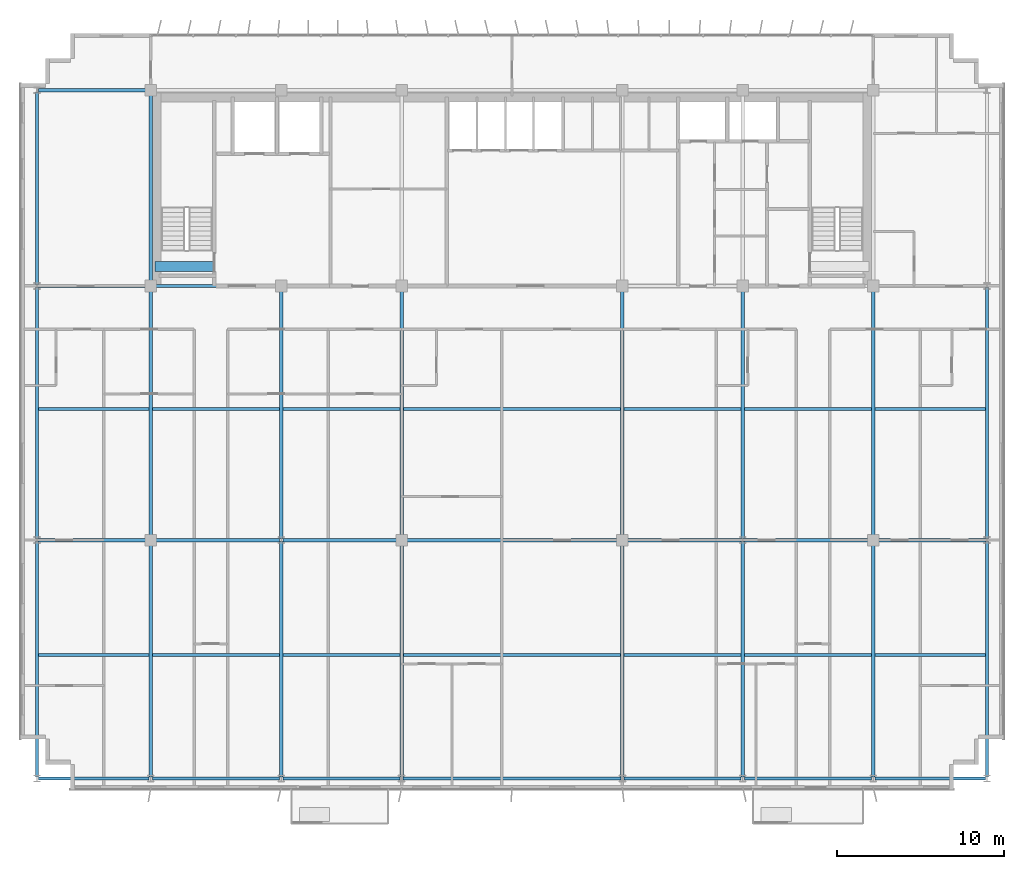
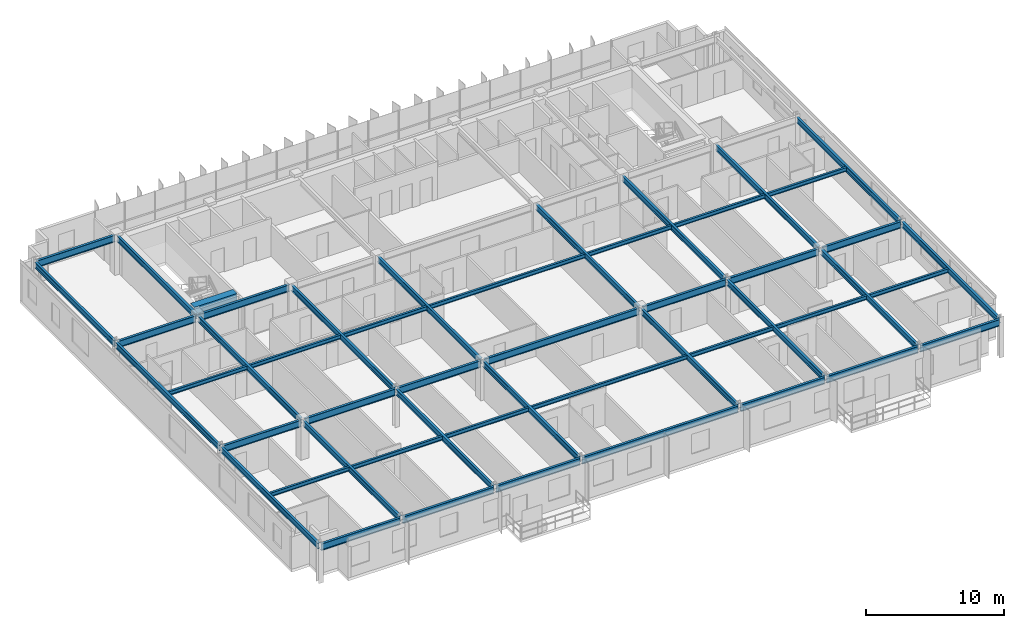
# One storey, part 3 of 21: 50 beams.
"""IFC4 building model written with IfcOpenShell, lengths in metres."""

from ifc_helpers import new_model, si_unit, direction, frame, origin, origin_2d, place, context, subcontext, project, spatial, rectangle, i_section, extrude, source, transform, mapped, material, material_profile, profile_set, type_object, element, save


model = new_model("IFC4")

# Units and contexts
model_context = context("Model", 3, precision=1e-05, world=origin(), true_north=direction((0.0, 1.0)))
body_context = subcontext(model_context, "Body", "Model", "MODEL_VIEW")
ifc_project = project(units=[si_unit("LENGTHUNIT", "METRE"), si_unit("AREAUNIT", "SQUARE_METRE"), si_unit("VOLUMEUNIT", "CUBIC_METRE"), si_unit("PLANEANGLEUNIT", "RADIAN"), si_unit("MASSUNIT", "GRAM", prefix="KILO")], contexts=[model_context])

# Site, building, storey
site_placement = place(None, origin())
site = spatial("IfcSite", under=ifc_project, at=site_placement, CompositionType="ELEMENT")
building_placement = place(site_placement, origin())
building = spatial("IfcBuilding", under=site, at=building_placement, Name="Trelvane Seafront Commons", CompositionType="ELEMENT")
storey_placement = place(building_placement, frame((0.0, 0.0, 157.300048828125)))
storey = spatial("IfcBuildingStorey", under=building, at=storey_placement, Name="L41", CompositionType="ELEMENT", Elevation=157.300048828125)

# Beams
ifc_material_1 = material(Name="Concrete C60/75", Category="concrete")
ifc_material_profile_1 = material_profile(ifc_material_1, rectangle(XDim=0.60009765625, YDim=0.89990234375, at=origin_2d()), Name="RC-600x900")
ifc_profile_set_1 = profile_set([ifc_material_profile_1], Name="Concrete C60/75")
beam_type_1 = type_object("IfcBeamType", Name="STR-LNT-RC600x900", PredefinedType="LINTEL", material=ifc_profile_set_1)
shared_shape_1 = source(origin(), body_context, "Body", "SweptSolid", [
    extrude(rectangle(XDim=0.60009765625, YDim=0.89990234375, at=origin_2d()), origin(), (0.0, 0.0, 1.0), 3.5498046875),
])
beam_1_placement = place(storey_placement, frame((15.85009765625, 34.550048828125, 2.89990234375), z_axis=(1.0, 0.0, 0.0), x_axis=(0.0, 1.0, 0.0)))
element("IfcBeam", 1, at=beam_1_placement, inside=storey, type_object=beam_type_1, Name="L41 Core Coupling Lintel Beam CB-67", PredefinedType="LINTEL", context=body_context, shape_type="MappedRepresentation", body=[
    mapped(shared_shape_1, transform((0.0, 0.0, 0.0), x_axis=(1.0, 0.0, 0.0), y_axis=(0.0, 1.0, 0.0), z_axis=(0.0, 0.0, 1.0), scale=1.0)),
])
ifc_material_2 = material(Name="Steel SM355 (S355)", Category="steel")
ifc_material_profile_2 = material_profile(ifc_material_2, i_section(OverallWidth=0.199951171875, OverallDepth=0.5, WebThickness=0.010009765625, FlangeThickness=0.01611328125, at=origin_2d()), Name="H-500x200x10x16")
ifc_profile_set_2 = profile_set([ifc_material_profile_2], Name="Steel SM355 (S355)")
beam_type_2 = type_object("IfcBeamType", Name="STR-BM-H500", PredefinedType="BEAM", material=ifc_profile_set_2)
shared_shape_2 = source(origin(), body_context, "Body", "SweptSolid", [
    extrude(i_section(OverallWidth=0.199951171875, OverallDepth=0.5, WebThickness=0.010009765625, FlangeThickness=0.01611328125, at=origin_2d()), origin(), (0.0, 0.0, 1.0), 14.89990234375),
])
for number, where, z_axis, x_axis, name in (
    (2, (15.60009765625, 18.35009765625, 3.099853515625), (0.0, 1.0, 0.0), (-1.0, 0.0, 0.0), "L41 Primary Girder G-33"),
    (3, (30.60009765625, 18.35009765625, 3.099853515625), (0.0, 1.0, 0.0), (-1.0, 0.0, 0.0), "L41 Primary Girder G-39"),
    (4, (43.800048828125, 18.35009765625, 3.099853515625), (0.0, 1.0, 0.0), (-1.0, 0.0, 0.0), "L41 Primary Girder G-42"),
    (5, (58.800048828125, 18.35009765625, 3.099853515625), (0.0, 1.0, 0.0), (-1.0, 0.0, 0.0), "L41 Primary Girder G-48"),
):
    element("IfcBeam", number, at=place(storey_placement, frame(where, z_axis=z_axis, x_axis=x_axis)), inside=storey, type_object=beam_type_2, Name=name, PredefinedType="BEAM", context=body_context, shape_type="MappedRepresentation", body=[
        mapped(shared_shape_2, transform((0.0, 0.0, 0.0), x_axis=(1.0, 0.0, 0.0), y_axis=(0.0, 1.0, 0.0), z_axis=(0.0, 0.0, 1.0), scale=1.0)),
    ])
shared_shape_3 = source(origin(), body_context, "Body", "SweptSolid", [
    extrude(i_section(OverallWidth=0.199951171875, OverallDepth=0.5, WebThickness=0.010009765625, FlangeThickness=0.01611328125, at=origin_2d()), origin(), (0.0, 0.0, 1.0), 11.39990234375),
])
beam_2_placement = place(storey_placement, frame((15.60009765625, 33.550048828125, 3.099853515625), z_axis=(0.0, 1.0, 0.0), x_axis=(-1.0, 0.0, 0.0)))
element("IfcBeam", 6, at=beam_2_placement, inside=storey, type_object=beam_type_2, Name="L41 Primary Girder G-34", PredefinedType="BEAM", context=body_context, shape_type="MappedRepresentation", body=[
    mapped(shared_shape_3, transform((0.0, 0.0, 0.0), x_axis=(1.0, 0.0, 0.0), y_axis=(0.0, 1.0, 0.0), z_axis=(0.0, 0.0, 1.0), scale=1.0)),
])
ifc_material_profile_3 = material_profile(ifc_material_2, i_section(OverallWidth=0.175048828125, OverallDepth=0.35009765625, WebThickness=0.007080078125, FlangeThickness=0.010986328125, at=origin_2d()), Name="H-350x175x7x11")
ifc_profile_set_3 = profile_set([ifc_material_profile_3], Name="Steel SM355 (S355)")
beam_type_3 = type_object("IfcBeamType", Name="STR-JST-H350", PredefinedType="JOIST", material=ifc_profile_set_3)
shared_shape_4 = source(origin(), body_context, "Body", "SweptSolid", [
    extrude(i_section(OverallWidth=0.175048828125, OverallDepth=0.35009765625, WebThickness=0.007080078125, FlangeThickness=0.010986328125, at=origin_2d()), origin(), (0.0, 0.0, 1.0), 6.60009765625),
])
for number, where, z_axis, x_axis, name in (
    (7, (8.89990234375, 11.324951171875, 3.175048828125), (1.0, 0.0, 0.0), (0.0, 1.0, 0.0), "L41 Secondary Floor Joist B-53"),
    (8, (58.89990234375, 11.324951171875, 3.175048828125), (1.0, 0.0, 0.0), (0.0, 1.0, 0.0), "L41 Secondary Floor Joist B-59"),
    (9, (8.89990234375, 26.050048828125, 3.175048828125), (1.0, 0.0, 0.0), (0.0, 1.0, 0.0), "L41 Secondary Floor Joist B-60"),
    (10, (58.89990234375, 26.050048828125, 3.175048828125), (1.0, 0.0, 0.0), (0.0, 1.0, 0.0), "L41 Secondary Floor Joist B-66"),
):
    element("IfcBeam", number, at=place(storey_placement, frame(where, z_axis=z_axis, x_axis=x_axis)), inside=storey, type_object=beam_type_3, Name=name, PredefinedType="JOIST", context=body_context, shape_type="MappedRepresentation", body=[
        mapped(shared_shape_4, transform((0.0, 0.0, 0.0), x_axis=(1.0, 0.0, 0.0), y_axis=(0.0, 1.0, 0.0), z_axis=(0.0, 0.0, 1.0), scale=1.0)),
    ])
shared_shape_5 = source(origin(), body_context, "Body", "SweptSolid", [
    extrude(i_section(OverallWidth=0.175048828125, OverallDepth=0.35009765625, WebThickness=0.007080078125, FlangeThickness=0.010986328125, at=origin_2d()), origin(), (0.0, 0.0, 1.0), 7.60009765625),
])
for number, where, z_axis, x_axis, name in (
    (11, (15.699951171875, 11.324951171875, 3.175048828125), (1.0, 0.0, 0.0), (0.0, 1.0, 0.0), "L41 Secondary Floor Joist B-54"),
    (12, (15.699951171875, 26.050048828125, 3.175048828125), (1.0, 0.0, 0.0), (0.0, 1.0, 0.0), "L41 Secondary Floor Joist B-61"),
):
    element("IfcBeam", number, at=place(storey_placement, frame(where, z_axis=z_axis, x_axis=x_axis)), inside=storey, type_object=beam_type_3, Name=name, PredefinedType="JOIST", context=body_context, shape_type="MappedRepresentation", body=[
        mapped(shared_shape_5, transform((0.0, 0.0, 0.0), x_axis=(1.0, 0.0, 0.0), y_axis=(0.0, 1.0, 0.0), z_axis=(0.0, 0.0, 1.0), scale=1.0)),
    ])
shared_shape_6 = source(origin(), body_context, "Body", "SweptSolid", [
    extrude(i_section(OverallWidth=0.175048828125, OverallDepth=0.35009765625, WebThickness=0.007080078125, FlangeThickness=0.010986328125, at=origin_2d()), origin(), (0.0, 0.0, 1.0), 7.0),
])
for number, where, z_axis, x_axis, name in (
    (13, (23.5, 11.324951171875, 3.175048828125), (1.0, 0.0, 0.0), (0.0, 1.0, 0.0), "L41 Secondary Floor Joist B-55"),
    (14, (43.89990234375, 11.324951171875, 3.175048828125), (1.0, 0.0, 0.0), (0.0, 1.0, 0.0), "L41 Secondary Floor Joist B-57"),
    (15, (23.5, 26.050048828125, 3.175048828125), (1.0, 0.0, 0.0), (0.0, 1.0, 0.0), "L41 Secondary Floor Joist B-62"),
    (16, (43.89990234375, 26.050048828125, 3.175048828125), (1.0, 0.0, 0.0), (0.0, 1.0, 0.0), "L41 Secondary Floor Joist B-64"),
):
    element("IfcBeam", number, at=place(storey_placement, frame(where, z_axis=z_axis, x_axis=x_axis)), inside=storey, type_object=beam_type_3, Name=name, PredefinedType="JOIST", context=body_context, shape_type="MappedRepresentation", body=[
        mapped(shared_shape_6, transform((0.0, 0.0, 0.0), x_axis=(1.0, 0.0, 0.0), y_axis=(0.0, 1.0, 0.0), z_axis=(0.0, 0.0, 1.0), scale=1.0)),
    ])
shared_shape_7 = source(origin(), body_context, "Body", "SweptSolid", [
    extrude(i_section(OverallWidth=0.175048828125, OverallDepth=0.35009765625, WebThickness=0.007080078125, FlangeThickness=0.010986328125, at=origin_2d()), origin(), (0.0, 0.0, 1.0), 13.0),
])
for number, where, z_axis, x_axis, name in (
    (17, (30.699951171875, 11.324951171875, 3.175048828125), (1.0, 0.0, 0.0), (0.0, 1.0, 0.0), "L41 Secondary Floor Joist B-56"),
    (18, (30.699951171875, 26.050048828125, 3.175048828125), (1.0, 0.0, 0.0), (0.0, 1.0, 0.0), "L41 Secondary Floor Joist B-63"),
):
    element("IfcBeam", number, at=place(storey_placement, frame(where, z_axis=z_axis, x_axis=x_axis)), inside=storey, type_object=beam_type_3, Name=name, PredefinedType="JOIST", context=body_context, shape_type="MappedRepresentation", body=[
        mapped(shared_shape_7, transform((0.0, 0.0, 0.0), x_axis=(1.0, 0.0, 0.0), y_axis=(0.0, 1.0, 0.0), z_axis=(0.0, 0.0, 1.0), scale=1.0)),
    ])
shared_shape_8 = source(origin(), body_context, "Body", "SweptSolid", [
    extrude(i_section(OverallWidth=0.175048828125, OverallDepth=0.35009765625, WebThickness=0.007080078125, FlangeThickness=0.010986328125, at=origin_2d()), origin(), (0.0, 0.0, 1.0), 7.599853515625),
])
for number, where, z_axis, x_axis, name in (
    (19, (51.10009765625, 11.324951171875, 3.175048828125), (1.0, 0.0, 0.0), (0.0, 1.0, 0.0), "L41 Secondary Floor Joist B-58"),
    (20, (51.10009765625, 26.050048828125, 3.175048828125), (1.0, 0.0, 0.0), (0.0, 1.0, 0.0), "L41 Secondary Floor Joist B-65"),
):
    element("IfcBeam", number, at=place(storey_placement, frame(where, z_axis=z_axis, x_axis=x_axis)), inside=storey, type_object=beam_type_3, Name=name, PredefinedType="JOIST", context=body_context, shape_type="MappedRepresentation", body=[
        mapped(shared_shape_8, transform((0.0, 0.0, 0.0), x_axis=(1.0, 0.0, 0.0), y_axis=(0.0, 1.0, 0.0), z_axis=(0.0, 0.0, 1.0), scale=1.0)),
    ])
ifc_material_profile_4 = material_profile(ifc_material_2, i_section(OverallWidth=0.199951171875, OverallDepth=0.60009765625, WebThickness=0.010986328125, FlangeThickness=0.01708984375, at=origin_2d()), Name="H-600x200x11x17")
ifc_profile_set_4 = profile_set([ifc_material_profile_4], Name="Steel SM355 (S355)")
beam_type_4 = type_object("IfcBeamType", Name="STR-SPD-H600", PredefinedType="SPANDREL", material=ifc_profile_set_4)
shared_shape_9 = source(origin(), body_context, "Body", "SweptSolid", [
    extrude(i_section(OverallWidth=0.199951171875, OverallDepth=0.60009765625, WebThickness=0.010986328125, FlangeThickness=0.01708984375, at=origin_2d()), origin(), (0.0, 0.0, 1.0), 6.60986328125),
])
for number, where, z_axis, x_axis, name in (
    (21, (8.89501953125, 3.949951171875, 3.050048828125), (1.0, 0.0, 0.0), (0.0, 1.0, 0.0), "L41 Primary Girder G-01"),
    (22, (58.89501953125, 3.949951171875, 3.050048828125), (1.0, 0.0, 0.0), (0.0, 1.0, 0.0), "L41 Primary Girder G-07"),
):
    element("IfcBeam", number, at=place(storey_placement, frame(where, z_axis=z_axis, x_axis=x_axis)), inside=storey, type_object=beam_type_4, Name=name, PredefinedType="SPANDREL", context=body_context, shape_type="MappedRepresentation", body=[
        mapped(shared_shape_9, transform((0.0, 0.0, 0.0), x_axis=(1.0, 0.0, 0.0), y_axis=(0.0, 1.0, 0.0), z_axis=(0.0, 0.0, 1.0), scale=1.0)),
    ])
shared_shape_10 = source(origin(), body_context, "Body", "SweptSolid", [
    extrude(i_section(OverallWidth=0.199951171875, OverallDepth=0.60009765625, WebThickness=0.010986328125, FlangeThickness=0.01708984375, at=origin_2d()), origin(), (0.0, 0.0, 1.0), 7.60986328125),
])
beam_3_placement = place(storey_placement, frame((15.695068359375, 3.949951171875, 3.050048828125), z_axis=(1.0, 0.0, 0.0), x_axis=(0.0, 1.0, 0.0)))
element("IfcBeam", 23, at=beam_3_placement, inside=storey, type_object=beam_type_4, Name="L41 Primary Girder G-02", PredefinedType="SPANDREL", context=body_context, shape_type="MappedRepresentation", body=[
    mapped(shared_shape_10, transform((0.0, 0.0, 0.0), x_axis=(1.0, 0.0, 0.0), y_axis=(0.0, 1.0, 0.0), z_axis=(0.0, 0.0, 1.0), scale=1.0)),
])
shared_shape_11 = source(origin(), body_context, "Body", "SweptSolid", [
    extrude(i_section(OverallWidth=0.199951171875, OverallDepth=0.60009765625, WebThickness=0.010986328125, FlangeThickness=0.01708984375, at=origin_2d()), origin(), (0.0, 0.0, 1.0), 7.009765625),
])
beam_4_placement = place(storey_placement, frame((23.4951171875, 3.949951171875, 3.050048828125), z_axis=(1.0, 0.0, 0.0), x_axis=(0.0, 1.0, 0.0)))
element("IfcBeam", 24, at=beam_4_placement, inside=storey, type_object=beam_type_4, Name="L41 Primary Girder G-03", PredefinedType="SPANDREL", context=body_context, shape_type="MappedRepresentation", body=[
    mapped(shared_shape_11, transform((0.0, 0.0, 0.0), x_axis=(1.0, 0.0, 0.0), y_axis=(0.0, 1.0, 0.0), z_axis=(0.0, 0.0, 1.0), scale=1.0)),
])
shared_shape_12 = source(origin(), body_context, "Body", "SweptSolid", [
    extrude(i_section(OverallWidth=0.199951171875, OverallDepth=0.60009765625, WebThickness=0.010986328125, FlangeThickness=0.01708984375, at=origin_2d()), origin(), (0.0, 0.0, 1.0), 13.010009765625),
])
beam_5_placement = place(storey_placement, frame((30.695068359375, 3.949951171875, 3.050048828125), z_axis=(1.0, 0.0, 0.0), x_axis=(0.0, 1.0, 0.0)))
element("IfcBeam", 25, at=beam_5_placement, inside=storey, type_object=beam_type_4, Name="L41 Primary Girder G-04", PredefinedType="SPANDREL", context=body_context, shape_type="MappedRepresentation", body=[
    mapped(shared_shape_12, transform((0.0, 0.0, 0.0), x_axis=(1.0, 0.0, 0.0), y_axis=(0.0, 1.0, 0.0), z_axis=(0.0, 0.0, 1.0), scale=1.0)),
])
shared_shape_13 = source(origin(), body_context, "Body", "SweptSolid", [
    extrude(i_section(OverallWidth=0.199951171875, OverallDepth=0.60009765625, WebThickness=0.010986328125, FlangeThickness=0.01708984375, at=origin_2d()), origin(), (0.0, 0.0, 1.0), 7.010009765625),
])
beam_6_placement = place(storey_placement, frame((43.89501953125, 3.949951171875, 3.050048828125), z_axis=(1.0, 0.0, 0.0), x_axis=(0.0, 1.0, 0.0)))
element("IfcBeam", 26, at=beam_6_placement, inside=storey, type_object=beam_type_4, Name="L41 Primary Girder G-05", PredefinedType="SPANDREL", context=body_context, shape_type="MappedRepresentation", body=[
    mapped(shared_shape_13, transform((0.0, 0.0, 0.0), x_axis=(1.0, 0.0, 0.0), y_axis=(0.0, 1.0, 0.0), z_axis=(0.0, 0.0, 1.0), scale=1.0)),
])
shared_shape_14 = source(origin(), body_context, "Body", "SweptSolid", [
    extrude(i_section(OverallWidth=0.199951171875, OverallDepth=0.60009765625, WebThickness=0.010986328125, FlangeThickness=0.01708984375, at=origin_2d()), origin(), (0.0, 0.0, 1.0), 7.610107421875),
])
beam_7_placement = place(storey_placement, frame((51.094970703125, 3.949951171875, 3.050048828125), z_axis=(1.0, 0.0, 0.0), x_axis=(0.0, 1.0, 0.0)))
element("IfcBeam", 27, at=beam_7_placement, inside=storey, type_object=beam_type_4, Name="L41 Primary Girder G-06", PredefinedType="SPANDREL", context=body_context, shape_type="MappedRepresentation", body=[
    mapped(shared_shape_14, transform((0.0, 0.0, 0.0), x_axis=(1.0, 0.0, 0.0), y_axis=(0.0, 1.0, 0.0), z_axis=(0.0, 0.0, 1.0), scale=1.0)),
])
shared_shape_15 = source(origin(), body_context, "Body", "SweptSolid", [
    extrude(i_section(OverallWidth=0.199951171875, OverallDepth=0.60009765625, WebThickness=0.010986328125, FlangeThickness=0.01708984375, at=origin_2d()), origin(), (0.0, 0.0, 1.0), 6.554931640625),
])
for number, where, z_axis, x_axis, name in (
    (28, (8.89501953125, 18.199951171875, 3.050048828125), (1.0, 0.0, 0.0), (0.0, 1.0, 0.0), "L41 Primary Girder G-08"),
    (29, (58.949951171875, 18.199951171875, 3.050048828125), (1.0, 0.0, 0.0), (0.0, 1.0, 0.0), "L41 Primary Girder G-14"),
    (30, (8.89501953125, 33.39990234375, 3.050048828125), (1.0, 0.0, 0.0), (0.0, 1.0, 0.0), "L41 Primary Girder G-15"),
    (31, (8.89501953125, 45.10009765625, 3.050048828125), (1.0, 0.0, 0.0), (0.0, 1.0, 0.0), "L41 Primary Girder G-22"),
):
    element("IfcBeam", number, at=place(storey_placement, frame(where, z_axis=z_axis, x_axis=x_axis)), inside=storey, type_object=beam_type_4, Name=name, PredefinedType="SPANDREL", context=body_context, shape_type="MappedRepresentation", body=[
        mapped(shared_shape_15, transform((0.0, 0.0, 0.0), x_axis=(1.0, 0.0, 0.0), y_axis=(0.0, 1.0, 0.0), z_axis=(0.0, 0.0, 1.0), scale=1.0)),
    ])
shared_shape_16 = source(origin(), body_context, "Body", "SweptSolid", [
    extrude(i_section(OverallWidth=0.199951171875, OverallDepth=0.60009765625, WebThickness=0.010986328125, FlangeThickness=0.01708984375, at=origin_2d()), origin(), (0.0, 0.0, 1.0), 7.554931640625),
])
for number, where, z_axis, x_axis, name in (
    (32, (15.75, 18.199951171875, 3.050048828125), (1.0, 0.0, 0.0), (0.0, 1.0, 0.0), "L41 Primary Girder G-09"),
    (33, (51.094970703125, 18.199951171875, 3.050048828125), (1.0, 0.0, 0.0), (0.0, 1.0, 0.0), "L41 Primary Girder G-13"),
):
    element("IfcBeam", number, at=place(storey_placement, frame(where, z_axis=z_axis, x_axis=x_axis)), inside=storey, type_object=beam_type_4, Name=name, PredefinedType="SPANDREL", context=body_context, shape_type="MappedRepresentation", body=[
        mapped(shared_shape_16, transform((0.0, 0.0, 0.0), x_axis=(1.0, 0.0, 0.0), y_axis=(0.0, 1.0, 0.0), z_axis=(0.0, 0.0, 1.0), scale=1.0)),
    ])
shared_shape_17 = source(origin(), body_context, "Body", "SweptSolid", [
    extrude(i_section(OverallWidth=0.199951171875, OverallDepth=0.60009765625, WebThickness=0.010986328125, FlangeThickness=0.01708984375, at=origin_2d()), origin(), (0.0, 0.0, 1.0), 6.954833984375),
])
beam_8_placement = place(storey_placement, frame((23.4951171875, 18.199951171875, 3.050048828125), z_axis=(1.0, 0.0, 0.0), x_axis=(0.0, 1.0, 0.0)))
element("IfcBeam", 34, at=beam_8_placement, inside=storey, type_object=beam_type_4, Name="L41 Primary Girder G-10", PredefinedType="SPANDREL", context=body_context, shape_type="MappedRepresentation", body=[
    mapped(shared_shape_17, transform((0.0, 0.0, 0.0), x_axis=(1.0, 0.0, 0.0), y_axis=(0.0, 1.0, 0.0), z_axis=(0.0, 0.0, 1.0), scale=1.0)),
])
shared_shape_18 = source(origin(), body_context, "Body", "SweptSolid", [
    extrude(i_section(OverallWidth=0.199951171875, OverallDepth=0.60009765625, WebThickness=0.010986328125, FlangeThickness=0.01708984375, at=origin_2d()), origin(), (0.0, 0.0, 1.0), 12.89990234375),
])
beam_9_placement = place(storey_placement, frame((30.75, 18.199951171875, 3.050048828125), z_axis=(1.0, 0.0, 0.0), x_axis=(0.0, 1.0, 0.0)))
element("IfcBeam", 35, at=beam_9_placement, inside=storey, type_object=beam_type_4, Name="L41 Primary Girder G-11", PredefinedType="SPANDREL", context=body_context, shape_type="MappedRepresentation", body=[
    mapped(shared_shape_18, transform((0.0, 0.0, 0.0), x_axis=(1.0, 0.0, 0.0), y_axis=(0.0, 1.0, 0.0), z_axis=(0.0, 0.0, 1.0), scale=1.0)),
])
shared_shape_19 = source(origin(), body_context, "Body", "SweptSolid", [
    extrude(i_section(OverallWidth=0.199951171875, OverallDepth=0.60009765625, WebThickness=0.010986328125, FlangeThickness=0.01708984375, at=origin_2d()), origin(), (0.0, 0.0, 1.0), 6.955078125),
])
beam_10_placement = place(storey_placement, frame((43.949951171875, 18.199951171875, 3.050048828125), z_axis=(1.0, 0.0, 0.0), x_axis=(0.0, 1.0, 0.0)))
element("IfcBeam", 36, at=beam_10_placement, inside=storey, type_object=beam_type_4, Name="L41 Primary Girder G-12", PredefinedType="SPANDREL", context=body_context, shape_type="MappedRepresentation", body=[
    mapped(shared_shape_19, transform((0.0, 0.0, 0.0), x_axis=(1.0, 0.0, 0.0), y_axis=(0.0, 1.0, 0.0), z_axis=(0.0, 0.0, 1.0), scale=1.0)),
])
shared_shape_20 = source(origin(), body_context, "Body", "SweptSolid", [
    extrude(i_section(OverallWidth=0.199951171875, OverallDepth=0.60009765625, WebThickness=0.010986328125, FlangeThickness=0.01708984375, at=origin_2d()), origin(), (0.0, 0.0, 1.0), 7.5),
])
beam_11_placement = place(storey_placement, frame((15.75, 33.39990234375, 3.050048828125), z_axis=(1.0, 0.0, 0.0), x_axis=(0.0, 1.0, 0.0)))
element("IfcBeam", 37, at=beam_11_placement, inside=storey, type_object=beam_type_4, Name="L41 Primary Girder G-16", PredefinedType="SPANDREL", context=body_context, shape_type="MappedRepresentation", body=[
    mapped(shared_shape_20, transform((0.0, 0.0, 0.0), x_axis=(1.0, 0.0, 0.0), y_axis=(0.0, 1.0, 0.0), z_axis=(0.0, 0.0, 1.0), scale=1.0)),
])
shared_shape_21 = source(origin(), body_context, "Body", "SweptSolid", [
    extrude(i_section(OverallWidth=0.199951171875, OverallDepth=0.5, WebThickness=0.010009765625, FlangeThickness=0.01611328125, at=origin_2d()), origin(), (0.0, 0.0, 1.0), 14.06005859375),
])
for number, where, z_axis, x_axis, name in (
    (38, (8.800048828125, 4.044921875, 3.099853515625), (0.0, 1.0, 0.0), (-1.0, 0.0, 0.0), "L41 Primary Girder G-29"),
    (39, (23.39990234375, 4.044921875, 3.099853515625), (0.0, 1.0, 0.0), (-1.0, 0.0, 0.0), "L41 Primary Girder G-35"),
    (40, (51.0, 4.044921875, 3.099853515625), (0.0, 1.0, 0.0), (-1.0, 0.0, 0.0), "L41 Primary Girder G-44"),
    (41, (65.60009765625, 4.044921875, 3.099853515625), (0.0, 1.0, 0.0), (-1.0, 0.0, 0.0), "L41 Primary Girder G-50"),
):
    element("IfcBeam", number, at=place(storey_placement, frame(where, z_axis=z_axis, x_axis=x_axis)), inside=storey, type_object=beam_type_2, Name=name, PredefinedType="BEAM", context=body_context, shape_type="MappedRepresentation", body=[
        mapped(shared_shape_21, transform((0.0, 0.0, 0.0), x_axis=(1.0, 0.0, 0.0), y_axis=(0.0, 1.0, 0.0), z_axis=(0.0, 0.0, 1.0), scale=1.0)),
    ])
shared_shape_22 = source(origin(), body_context, "Body", "SweptSolid", [
    extrude(i_section(OverallWidth=0.199951171875, OverallDepth=0.5, WebThickness=0.010009765625, FlangeThickness=0.01611328125, at=origin_2d()), origin(), (0.0, 0.0, 1.0), 15.010009765625),
])
for number, where, z_axis, x_axis, name in (
    (42, (8.800048828125, 18.294921875, 3.099853515625), (0.0, 1.0, 0.0), (-1.0, 0.0, 0.0), "L41 Primary Girder G-30"),
    (43, (65.60009765625, 18.294921875, 3.099853515625), (0.0, 1.0, 0.0), (-1.0, 0.0, 0.0), "L41 Primary Girder G-51"),
):
    element("IfcBeam", number, at=place(storey_placement, frame(where, z_axis=z_axis, x_axis=x_axis)), inside=storey, type_object=beam_type_2, Name=name, PredefinedType="BEAM", context=body_context, shape_type="MappedRepresentation", body=[
        mapped(shared_shape_22, transform((0.0, 0.0, 0.0), x_axis=(1.0, 0.0, 0.0), y_axis=(0.0, 1.0, 0.0), z_axis=(0.0, 0.0, 1.0), scale=1.0)),
    ])
shared_shape_23 = source(origin(), body_context, "Body", "SweptSolid", [
    extrude(i_section(OverallWidth=0.199951171875, OverallDepth=0.5, WebThickness=0.010009765625, FlangeThickness=0.01611328125, at=origin_2d()), origin(), (0.0, 0.0, 1.0), 11.509765625),
])
beam_12_placement = place(storey_placement, frame((8.800048828125, 33.4951171875, 3.099853515625), z_axis=(0.0, 1.0, 0.0), x_axis=(-1.0, 0.0, 0.0)))
element("IfcBeam", 44, at=beam_12_placement, inside=storey, type_object=beam_type_2, Name="L41 Primary Girder G-31", PredefinedType="BEAM", context=body_context, shape_type="MappedRepresentation", body=[
    mapped(shared_shape_23, transform((0.0, 0.0, 0.0), x_axis=(1.0, 0.0, 0.0), y_axis=(0.0, 1.0, 0.0), z_axis=(0.0, 0.0, 1.0), scale=1.0)),
])
shared_shape_24 = source(origin(), body_context, "Body", "SweptSolid", [
    extrude(i_section(OverallWidth=0.199951171875, OverallDepth=0.5, WebThickness=0.010009765625, FlangeThickness=0.01611328125, at=origin_2d()), origin(), (0.0, 0.0, 1.0), 14.005126953125),
])
for number, where, z_axis, x_axis, name in (
    (45, (15.60009765625, 4.044921875, 3.099853515625), (0.0, 1.0, 0.0), (-1.0, 0.0, 0.0), "L41 Primary Girder G-32"),
    (46, (30.60009765625, 4.044921875, 3.099853515625), (0.0, 1.0, 0.0), (-1.0, 0.0, 0.0), "L41 Primary Girder G-38"),
    (47, (43.800048828125, 4.044921875, 3.099853515625), (0.0, 1.0, 0.0), (-1.0, 0.0, 0.0), "L41 Primary Girder G-41"),
    (48, (58.800048828125, 4.044921875, 3.099853515625), (0.0, 1.0, 0.0), (-1.0, 0.0, 0.0), "L41 Primary Girder G-47"),
):
    element("IfcBeam", number, at=place(storey_placement, frame(where, z_axis=z_axis, x_axis=x_axis)), inside=storey, type_object=beam_type_2, Name=name, PredefinedType="BEAM", context=body_context, shape_type="MappedRepresentation", body=[
        mapped(shared_shape_24, transform((0.0, 0.0, 0.0), x_axis=(1.0, 0.0, 0.0), y_axis=(0.0, 1.0, 0.0), z_axis=(0.0, 0.0, 1.0), scale=1.0)),
    ])
shared_shape_25 = source(origin(), body_context, "Body", "SweptSolid", [
    extrude(i_section(OverallWidth=0.199951171875, OverallDepth=0.5, WebThickness=0.010009765625, FlangeThickness=0.01611328125, at=origin_2d()), origin(), (0.0, 0.0, 1.0), 14.955078125),
])
for number, where, z_axis, x_axis, name in (
    (49, (23.39990234375, 18.294921875, 3.099853515625), (0.0, 1.0, 0.0), (-1.0, 0.0, 0.0), "L41 Primary Girder G-36"),
    (50, (51.0, 18.294921875, 3.099853515625), (0.0, 1.0, 0.0), (-1.0, 0.0, 0.0), "L41 Primary Girder G-45"),
):
    element("IfcBeam", number, at=place(storey_placement, frame(where, z_axis=z_axis, x_axis=x_axis)), inside=storey, type_object=beam_type_2, Name=name, PredefinedType="BEAM", context=body_context, shape_type="MappedRepresentation", body=[
        mapped(shared_shape_25, transform((0.0, 0.0, 0.0), x_axis=(1.0, 0.0, 0.0), y_axis=(0.0, 1.0, 0.0), z_axis=(0.0, 0.0, 1.0), scale=1.0)),
    ])

save(model, "model.ifc")
